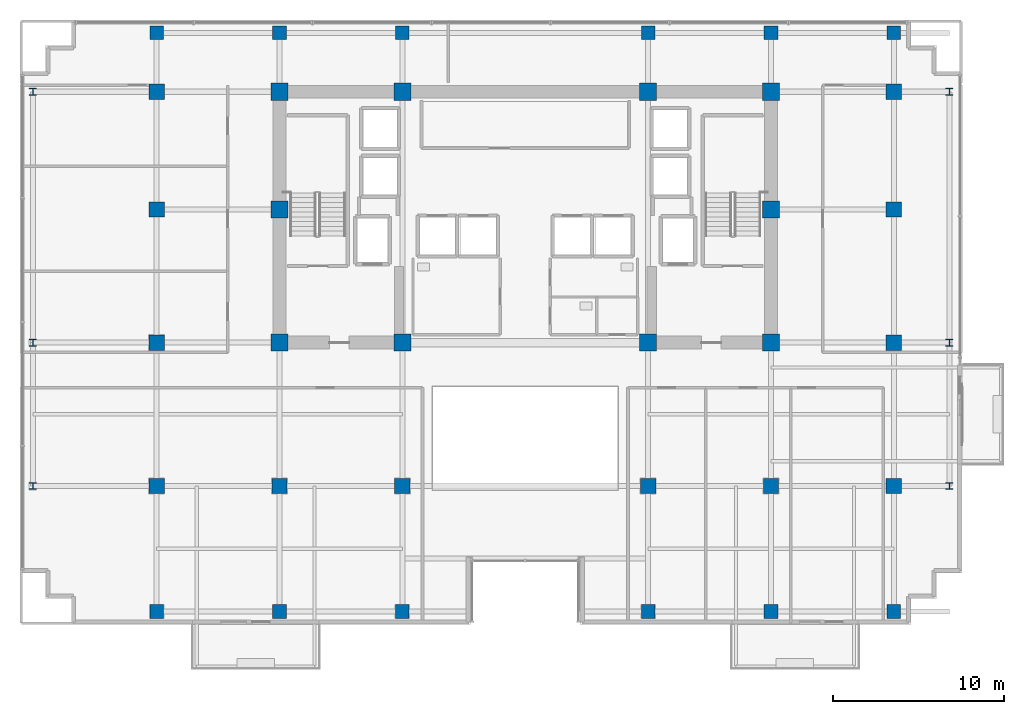
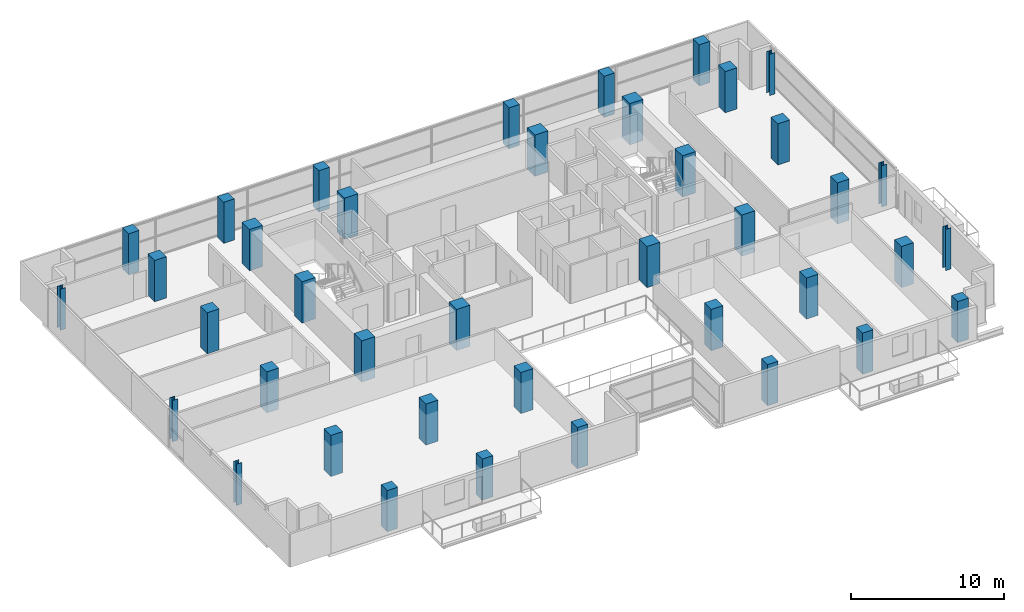
# One storey, part 1 of 27: 40 columns.
"""IFC4 building model written with IfcOpenShell, lengths in metres."""

import ifcopenshell
import ifcopenshell.guid

model = None  # the IFC model being written
_history = None  # IfcOwnerHistory: only IFC2X3 demands one
_inside = {}  # id of a spatial element -> (the spatial element, [elements in it])
_under = {}  # id of a project, library or spatial element -> (it, [spatial elements below it])
_declared = {}  # id of a project -> (the project, [libraries it declares])
_typed = {}  # id of a type object -> (the type object, [elements of that type])
_made_of = {}  # id of a material, layer set ... -> (it, [elements and type objects made of it])


def new_model(schema):
    """Start an empty IFC model of exactly this schema.

    Asked for "IFC4X3", IfcOpenShell would pick the latest addendum, in which some entities
    have other attributes; the version numbers below select the first issue.
    IFC2X3 requires an IfcOwnerHistory on every rooted entity: one is made here for all.
    """
    global model, _history
    if schema == "IFC4X3":
        model = ifcopenshell.file(schema_version=(4, 3, 0, 0))
    else:
        model = ifcopenshell.file(schema=schema)
    _inside.clear()
    _under.clear()
    _declared.clear()
    _typed.clear()
    _made_of.clear()
    _history = None
    if model.schema == "IFC2X3":
        org = make("IfcOrganization", Name="unknown")
        user = make(
            "IfcPersonAndOrganization",
            ThePerson=make("IfcPerson", FamilyName="unknown"),
            TheOrganization=org,
        )
        app = make(
            "IfcApplication",
            ApplicationDeveloper=org,
            Version="unknown",
            ApplicationFullName="unknown",
            ApplicationIdentifier="unknown",
        )
        _history = make(
            "IfcOwnerHistory",
            OwningUser=user,
            OwningApplication=app,
            ChangeAction="ADDED",
            CreationDate=0,
        )
    return model


def make(cls, **values):
    """One entity of the class cls with the attributes given. An attribute that is None is left unset."""
    return model.create_entity(
        cls, **{name: value for name, value in values.items() if value is not None}
    )


def rooted(cls, **values):
    """An entity with a GlobalId (a new one), such as an element, a storey or a relation."""
    return make(cls, GlobalId=ifcopenshell.guid.new(), OwnerHistory=_history, **values)


def si_unit(unit_type, name, prefix=None):
    """IfcSIUnit, for example si_unit("LENGTHUNIT", "METRE", prefix="MILLI")."""
    return make("IfcSIUnit", UnitType=unit_type, Prefix=prefix, Name=name)


def assignment(units):
    """IfcUnitAssignment: the units of a project."""
    return None if units is None else make("IfcUnitAssignment", Units=units)


def point(xyz):
    """IfcCartesianPoint."""
    return None if xyz is None else make("IfcCartesianPoint", Coordinates=xyz)


def direction(xyz):
    """IfcDirection."""
    return None if xyz is None else make("IfcDirection", DirectionRatios=xyz)


def frame(location, z_axis=None, x_axis=None):
    """IfcAxis2Placement3D, a coordinate frame: its origin and axes. An axis left out is left unset."""
    return make(
        "IfcAxis2Placement3D",
        Location=point(location),
        Axis=direction(z_axis),
        RefDirection=direction(x_axis),
    )


def frame_2d(location, x_axis=None):
    """IfcAxis2Placement2D, a coordinate frame in the plane: its origin and x axis."""
    return make(
        "IfcAxis2Placement2D", Location=point(location), RefDirection=direction(x_axis)
    )


def origin():
    """The frame at (0, 0, 0) with its axes left unset."""
    return frame((0.0, 0.0, 0.0))


def origin_2d():
    """The frame at (0, 0) in the plane with its x axis left unset."""
    return frame_2d((0.0, 0.0))


def place(relative_to, where):
    """IfcLocalPlacement: puts the frame where relative to a parent placement (None: the world)."""
    return make(
        "IfcLocalPlacement", PlacementRelTo=relative_to, RelativePlacement=where
    )


def context(
    kind, dimensions, precision=None, world=None, true_north=None, identifier=None
):
    """IfcGeometricRepresentationContext, for example the 3D "Model" context."""
    return make(
        "IfcGeometricRepresentationContext",
        ContextIdentifier=identifier,
        ContextType=kind,
        CoordinateSpaceDimension=dimensions,
        Precision=precision,
        WorldCoordinateSystem=world,
        TrueNorth=true_north,
    )


def subcontext(parent, identifier, kind, view, scale=None):
    """IfcGeometricRepresentationSubContext, for example "Body" below "Model"."""
    return make(
        "IfcGeometricRepresentationSubContext",
        ContextIdentifier=identifier,
        ContextType=kind,
        ParentContext=parent,
        TargetScale=scale,
        TargetView=view,
    )


def project(units=None, contexts=None):
    """IfcProject with its units and contexts."""
    return rooted(
        "IfcProject",
        Name="project",
        RepresentationContexts=contexts,
        UnitsInContext=assignment(units),
    )


def spatial(cls, under=None, at=None, **own):
    """A site, building, storey or space (cls), placed at a placement, below another one or the project."""
    s = rooted(cls, ObjectPlacement=at, **own)
    if under is not None:
        _under.setdefault(under.id(), (under, []))[1].append(s)
    return s


def profile(cls, at=None, kind="AREA", **sizes):
    """A parametric profile (cls). Its sizes go by their IFC names, for example OverallWidth=200.0."""
    return make(cls, ProfileType=kind, Position=at, **sizes)


def rectangle(**sizes):
    """IfcRectangleProfileDef."""
    return profile("IfcRectangleProfileDef", **sizes)


def i_section(**sizes):
    """IfcIShapeProfileDef."""
    return profile("IfcIShapeProfileDef", **sizes)


def extrude(swept, where, along, depth):
    """IfcExtrudedAreaSolid: the profile swept, set in the frame where, extruded along a direction by depth."""
    return make(
        "IfcExtrudedAreaSolid",
        SweptArea=swept,
        Position=where,
        ExtrudedDirection=direction(along),
        Depth=depth,
    )


def shape(context_of_items, identifier, shape_type, items):
    """IfcShapeRepresentation: the items that make up one representation, for example the "Body"."""
    return make(
        "IfcShapeRepresentation",
        ContextOfItems=context_of_items,
        RepresentationIdentifier=identifier,
        RepresentationType=shape_type,
        Items=items,
    )


def material(Name=None, Category=None):
    """IfcMaterial."""
    return make("IfcMaterial", Name=Name, Category=Category)


def material_profile(
    of_material, cross_section, Name=None, Category=None, Priority=None
):
    """IfcMaterialProfile: a cross section and its material."""
    return make(
        "IfcMaterialProfile",
        Name=Name,
        Material=of_material,
        Profile=cross_section,
        Priority=Priority,
        Category=Category,
    )


def profile_set(profiles, Name=None, composite=None):
    """IfcMaterialProfileSet."""
    return make(
        "IfcMaterialProfileSet",
        Name=Name,
        MaterialProfiles=profiles,
        CompositeProfile=composite,
    )


def made_of(thing, what):
    """Note that an element or type object is made of a material, layer set ...; save() writes the relation."""
    if what is not None:
        _made_of.setdefault(what.id(), (what, []))[1].append(thing)
    return thing


def type_object(cls, material=None, **own):
    """A type object (cls), such as IfcWallType, which elements share."""
    return made_of(rooted(cls, **own), material)


def element(
    cls,
    number,
    at=None,
    inside=None,
    cuts=None,
    type_object=None,
    material=None,
    context=None,
    identifier="Body",
    shape_type=None,
    held_by="IfcProductDefinitionShape",
    body=None,
    shapes=None,
    **own,
):
    """One element of the class cls, such as IfcWall. Its Tag is "e" and its number.

    at: its placement. inside: the storey or other place that contains it. cuts: it is an
    opening in that element (IfcRelVoidsElement). A single representation is given by context,
    identifier, shape_type and body (its items); several are given by shapes. held_by: the class
    of the entity that holds the representations. save() writes the other relations.
    """
    e = rooted(cls, Tag="e%d" % number, ObjectPlacement=at, **own)
    if body is not None:
        shapes = [shape(context, identifier, shape_type, body)]
    if shapes is not None:
        e.Representation = make(held_by, Representations=shapes)
    if inside is not None:
        _inside.setdefault(inside.id(), (inside, []))[1].append(e)
    if cuts is not None:
        rooted(
            "IfcRelVoidsElement", RelatingBuildingElement=cuts, RelatedOpeningElement=e
        )
    if type_object is not None:
        _typed.setdefault(type_object.id(), (type_object, []))[1].append(e)
    return made_of(e, material)


def aggregate(whole, parts):
    """IfcRelAggregates: a whole, such as a stair, and the parts it consists of."""
    return rooted("IfcRelAggregates", RelatingObject=whole, RelatedObjects=parts)


def save(model, path):
    """Write the relations noted so far, then the file.

    IfcRelAggregates (storeys below a building ...), IfcRelContainedInSpatialStructure (elements
    in a storey), IfcRelDefinesByType, IfcRelAssociatesMaterial and IfcRelDeclares: one each for
    every whole, place, type object, material and project.
    """
    for whole, parts in _under.values():
        aggregate(whole, parts)
    for where, things in _inside.values():
        rooted(
            "IfcRelContainedInSpatialStructure",
            RelatedElements=things,
            RelatingStructure=where,
        )
    for kind, things in _typed.values():
        rooted("IfcRelDefinesByType", RelatedObjects=things, RelatingType=kind)
    for what, things in _made_of.values():
        rooted("IfcRelAssociatesMaterial", RelatedObjects=things, RelatingMaterial=what)
    for by, libraries in _declared.values():
        rooted("IfcRelDeclares", RelatingContext=by, RelatedDefinitions=libraries)
    model.write(path)


model = new_model("IFC4")

# Units and contexts
model_context = context("Model", 3, precision=1e-05, world=origin(), true_north=direction((0.0, 1.0)))
body_context = subcontext(model_context, "Body", "Model", "MODEL_VIEW")
ifc_project = project(units=[si_unit("LENGTHUNIT", "METRE"), si_unit("AREAUNIT", "SQUARE_METRE"), si_unit("VOLUMEUNIT", "CUBIC_METRE"), si_unit("PLANEANGLEUNIT", "RADIAN"), si_unit("MASSUNIT", "GRAM", prefix="KILO")], contexts=[model_context])

# Site, building, storey
site_placement = place(None, origin())
site = spatial("IfcSite", under=ifc_project, at=site_placement, CompositionType="ELEMENT")
building_placement = place(site_placement, origin())
building = spatial("IfcBuilding", under=site, at=building_placement, Name="Zarnakvel Exchange Tower", CompositionType="ELEMENT")
storey_placement = place(building_placement, frame((0.0, 0.0, 106.60009765625)))
storey = spatial("IfcBuildingStorey", under=building, at=storey_placement, Name="L29", CompositionType="ELEMENT", Elevation=106.60009765625)

# Columns
ifc_material_1 = material(Name="Concrete C60/75", Category="concrete")
ifc_material_profile_1 = material_profile(ifc_material_1, rectangle(XDim=1.0, YDim=1.0, at=origin_2d()))
ifc_profile_set_1 = profile_set([ifc_material_profile_1], Name="Concrete C60/75")
column_type_1 = type_object("IfcColumnType", Name="CC-02", PredefinedType="COLUMN", material=ifc_profile_set_1)
for number, where, z_axis, x_axis, name in (
    (1, (-14.39990234375, -1.199951171875, 0.0), (0.0, 0.0, 1.0), (1.0, 0.0, 0.0), "L29 Column C-4D (CC-02)"),
    (2, (-7.199951171875, -1.199951171875, 0.0), (0.0, 0.0, 1.0), (1.0, 0.0, 0.0), "L29 Column C-5D (CC-02)"),
    (3, (7.199951171875, -1.199951171875, 0.0), (0.0, 0.0, 1.0), (1.0, 0.0, 0.0), "L29 Column C-8D (CC-02)"),
    (4, (14.39990234375, -1.199951171875, 0.0), (0.0, 0.0, 1.0), (1.0, 0.0, 0.0), "L29 Column C-9D (CC-02)"),
    (5, (-14.39990234375, 6.60009765625, 0.0), (0.0, 0.0, 1.0), (1.0, 0.0, 0.0), "L29 Column C-4E (CC-02)"),
    (6, (14.39990234375, 6.60009765625, 0.0), (0.0, 0.0, 1.0), (1.0, 0.0, 0.0), "L29 Column C-9E (CC-02)"),
    (7, (-14.39990234375, 13.5, 0.0), (0.0, 0.0, 1.0), (1.0, 0.0, 0.0), "L29 Column C-4F (CC-02)"),
    (8, (-7.199951171875, 13.5, 0.0), (0.0, 0.0, 1.0), (1.0, 0.0, 0.0), "L29 Column C-5F (CC-02)"),
    (9, (7.199951171875, 13.5, 0.0), (0.0, 0.0, 1.0), (1.0, 0.0, 0.0), "L29 Column C-8F (CC-02)"),
    (10, (14.39990234375, 13.5, 0.0), (0.0, 0.0, 1.0), (1.0, 0.0, 0.0), "L29 Column C-9F (CC-02)"),
):
    element("IfcColumn", number, at=place(storey_placement, frame(where, z_axis=z_axis, x_axis=x_axis)), inside=storey, type_object=column_type_1, Name=name, PredefinedType="COLUMN", context=body_context, shape_type="SweptSolid", body=[
        extrude(rectangle(XDim=1.0, YDim=1.0, at=origin_2d()), origin(), (0.0, 0.0, 1.0), 3.2998046875),
    ])
ifc_material_2 = material(Name="Steel S355", Category="steel")
ifc_material_profile_2 = material_profile(ifc_material_2, i_section(OverallWidth=0.404052734375, OverallDepth=0.406982421875, WebThickness=0.0224609375, FlangeThickness=0.031982421875, FilletRadius=0.014892578125, at=origin_2d()))
ifc_profile_set_2 = profile_set([ifc_material_profile_2], Name="Steel S355")
column_type_2 = type_object("IfcColumnType", Name="SC-02", PredefinedType="COLUMN", material=ifc_profile_set_2)
for number, where, z_axis, x_axis, name in (
    (11, (-28.85009765625, -9.60009765625, 0.0), (0.0, 0.0, 1.0), (1.0, 0.0, 0.0), "L29 Column TW-C (SC-02)"),
    (12, (24.85009765625, -9.60009765625, 0.0), (0.0, 0.0, 1.0), (1.0, 0.0, 0.0), "L29 Column TE-C (SC-02)"),
    (13, (-28.85009765625, -1.199951171875, 0.0), (0.0, 0.0, 1.0), (1.0, 0.0, 0.0), "L29 Column TW-D (SC-02)"),
    (14, (24.85009765625, -1.199951171875, 0.0), (0.0, 0.0, 1.0), (1.0, 0.0, 0.0), "L29 Column TE-D (SC-02)"),
    (15, (-28.85009765625, 13.5, 0.0), (0.0, 0.0, 1.0), (1.0, 0.0, 0.0), "L29 Column TW-F (SC-02)"),
    (16, (24.85009765625, 13.5, 0.0), (0.0, 0.0, 1.0), (1.0, 0.0, 0.0), "L29 Column TE-F (SC-02)"),
):
    element("IfcColumn", number, at=place(storey_placement, frame(where, z_axis=z_axis, x_axis=x_axis)), inside=storey, type_object=column_type_2, Name=name, PredefinedType="COLUMN", context=body_context, shape_type="SweptSolid", body=[
        extrude(i_section(OverallWidth=0.404052734375, OverallDepth=0.406982421875, WebThickness=0.0224609375, FlangeThickness=0.031982421875, FilletRadius=0.014892578125, at=origin_2d()), origin(), (0.0, 0.0, 1.0), 3.2998046875),
    ])
ifc_material_profile_3 = material_profile(ifc_material_1, rectangle(XDim=0.89990234375, YDim=0.89990234375, at=origin_2d()))
ifc_profile_set_3 = profile_set([ifc_material_profile_3], Name="Concrete C60/75")
column_type_3 = type_object("IfcColumnType", Name="TC-02", PredefinedType="COLUMN", material=ifc_profile_set_3)
for number, where, z_axis, x_axis, name in (
    (17, (-14.39990234375, -9.60009765625, 0.0), (0.0, 0.0, 1.0), (1.0, 0.0, 0.0), "L29 Column T-4C (TC-02)"),
    (18, (-7.199951171875, -9.60009765625, 0.0), (0.0, 0.0, 1.0), (1.0, 0.0, 0.0), "L29 Column T-5C (TC-02)"),
    (19, (7.199951171875, -9.60009765625, 0.0), (0.0, 0.0, 1.0), (1.0, 0.0, 0.0), "L29 Column T-8C (TC-02)"),
    (20, (14.39990234375, -9.60009765625, 0.0), (0.0, 0.0, 1.0), (1.0, 0.0, 0.0), "L29 Column T-9C (TC-02)"),
    (21, (-21.60009765625, -9.60009765625, 0.0), (0.0, 0.0, 1.0), (1.0, 0.0, 0.0), "L29 Column T-3C (TC-02)"),
    (22, (-21.60009765625, -1.199951171875, 0.0), (0.0, 0.0, 1.0), (1.0, 0.0, 0.0), "L29 Column T-3D (TC-02)"),
    (23, (-21.60009765625, 6.60009765625, 0.0), (0.0, 0.0, 1.0), (1.0, 0.0, 0.0), "L29 Column T-3E (TC-02)"),
    (24, (-21.60009765625, 13.5, 0.0), (0.0, 0.0, 1.0), (1.0, 0.0, 0.0), "L29 Column T-3F (TC-02)"),
    (25, (21.60009765625, -9.60009765625, 0.0), (0.0, 0.0, 1.0), (1.0, 0.0, 0.0), "L29 Column T-10C (TC-02)"),
    (26, (21.60009765625, -1.199951171875, 0.0), (0.0, 0.0, 1.0), (1.0, 0.0, 0.0), "L29 Column T-10D (TC-02)"),
    (27, (21.60009765625, 6.60009765625, 0.0), (0.0, 0.0, 1.0), (1.0, 0.0, 0.0), "L29 Column T-10E (TC-02)"),
    (28, (21.60009765625, 13.5, 0.0), (0.0, 0.0, 1.0), (1.0, 0.0, 0.0), "L29 Column T-10F (TC-02)"),
):
    element("IfcColumn", number, at=place(storey_placement, frame(where, z_axis=z_axis, x_axis=x_axis)), inside=storey, type_object=column_type_3, Name=name, PredefinedType="COLUMN", context=body_context, shape_type="SweptSolid", body=[
        extrude(rectangle(XDim=0.89990234375, YDim=0.89990234375, at=origin_2d()), origin(), (0.0, 0.0, 1.0), 3.2998046875),
    ])
ifc_material_profile_4 = material_profile(ifc_material_1, rectangle(XDim=0.800048828125, YDim=0.800048828125, at=origin_2d()))
ifc_profile_set_4 = profile_set([ifc_material_profile_4], Name="Concrete C60/75")
column_type_4 = type_object("IfcColumnType", Name="TC-03", PredefinedType="COLUMN", material=ifc_profile_set_4)
for number, where, z_axis, x_axis, name in (
    (29, (-14.39990234375, -16.949951171875, 0.0), (0.0, 0.0, 1.0), (1.0, 0.0, 0.0), "L29 Column TS-4 (TC-03)"),
    (30, (-14.39990234375, 16.949951171875, 0.0), (0.0, 0.0, 1.0), (1.0, 0.0, 0.0), "L29 Column TN-4 (TC-03)"),
    (31, (-7.199951171875, -16.949951171875, 0.0), (0.0, 0.0, 1.0), (1.0, 0.0, 0.0), "L29 Column TS-5 (TC-03)"),
    (32, (-7.199951171875, 16.949951171875, 0.0), (0.0, 0.0, 1.0), (1.0, 0.0, 0.0), "L29 Column TN-5 (TC-03)"),
    (33, (7.199951171875, -16.949951171875, 0.0), (0.0, 0.0, 1.0), (1.0, 0.0, 0.0), "L29 Column TS-8 (TC-03)"),
    (34, (7.199951171875, 16.949951171875, 0.0), (0.0, 0.0, 1.0), (1.0, 0.0, 0.0), "L29 Column TN-8 (TC-03)"),
    (35, (14.39990234375, -16.949951171875, 0.0), (0.0, 0.0, 1.0), (1.0, 0.0, 0.0), "L29 Column TS-9 (TC-03)"),
    (36, (14.39990234375, 16.949951171875, 0.0), (0.0, 0.0, 1.0), (1.0, 0.0, 0.0), "L29 Column TN-9 (TC-03)"),
    (37, (-21.60009765625, -16.949951171875, 0.0), (0.0, 0.0, 1.0), (1.0, 0.0, 0.0), "L29 Column TS-3 (TC-03)"),
    (38, (-21.60009765625, 16.949951171875, 0.0), (0.0, 0.0, 1.0), (1.0, 0.0, 0.0), "L29 Column TN-3 (TC-03)"),
    (39, (21.60009765625, -16.949951171875, 0.0), (0.0, 0.0, 1.0), (1.0, 0.0, 0.0), "L29 Column TS-10 (TC-03)"),
    (40, (21.60009765625, 16.949951171875, 0.0), (0.0, 0.0, 1.0), (1.0, 0.0, 0.0), "L29 Column TN-10 (TC-03)"),
):
    element("IfcColumn", number, at=place(storey_placement, frame(where, z_axis=z_axis, x_axis=x_axis)), inside=storey, type_object=column_type_4, Name=name, PredefinedType="COLUMN", context=body_context, shape_type="SweptSolid", body=[
        extrude(rectangle(XDim=0.800048828125, YDim=0.800048828125, at=origin_2d()), origin(), (0.0, 0.0, 1.0), 3.2998046875),
    ])

save(model, "model.ifc")
